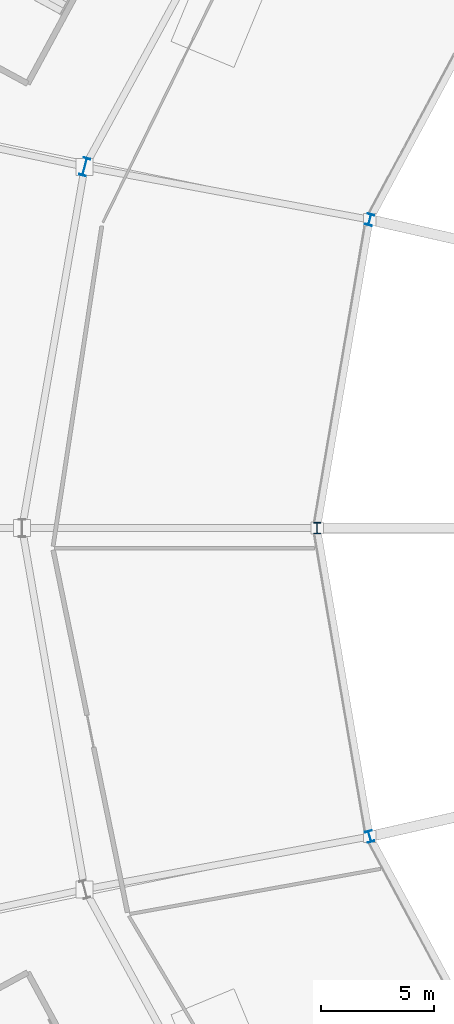
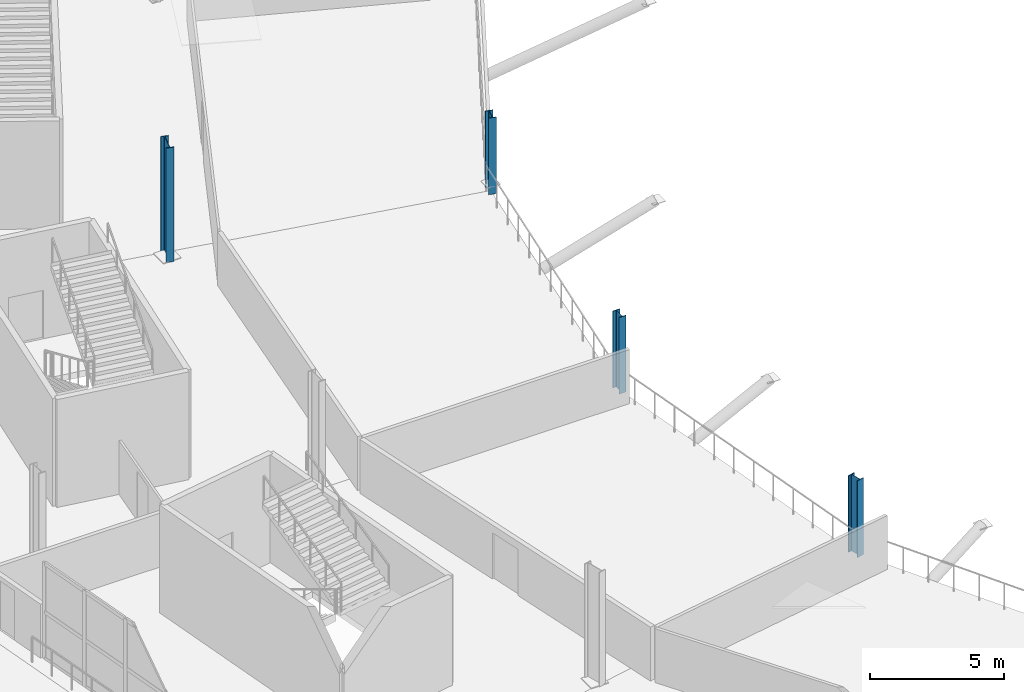
# One storey, part 6 of 168: 4 columns.
"""IFC4 building model written with IfcOpenShell, lengths in metres."""

from ifc_helpers import new_model, si_unit, direction, frame, origin, origin_2d, place, context, subcontext, project, spatial, i_section, extrude, material, material_profile, profile_set, type_object, element, save


model = new_model("IFC4")

# Units and contexts
model_context = context("Model", 3, precision=1e-05, world=origin(), true_north=direction((0.0, 1.0)))
body_context = subcontext(model_context, "Body", "Model", "MODEL_VIEW")
ifc_project = project(units=[si_unit("LENGTHUNIT", "METRE"), si_unit("AREAUNIT", "SQUARE_METRE"), si_unit("VOLUMEUNIT", "CUBIC_METRE"), si_unit("PLANEANGLEUNIT", "RADIAN"), si_unit("MASSUNIT", "GRAM", prefix="KILO")], contexts=[model_context])

# Site, building, storey
site_placement = place(None, origin())
site = spatial("IfcSite", under=ifc_project, at=site_placement, CompositionType="ELEMENT")
building_placement = place(site_placement, origin())
building = spatial("IfcBuilding", under=site, at=building_placement, Name="Zlatoyarsky Gate Stadium", CompositionType="ELEMENT")
storey_placement = place(building_placement, frame((0.0, 0.0, 15.60009765625)))
storey = spatial("IfcBuildingStorey", under=building, at=storey_placement, Name="L03", CompositionType="ELEMENT", Elevation=15.60009765625)

# Columns
ifc_material = material(Name="Steel S355", Category="steel")
ifc_material_profile_1 = material_profile(ifc_material, i_section(OverallWidth=0.300048828125, OverallDepth=0.5, WebThickness=0.014404296875, FlangeThickness=0.028076171875, FilletRadius=0.027099609375, at=origin_2d()), Name="HEB 500")
ifc_profile_set_1 = profile_set([ifc_material_profile_1], Name="Steel S355")
column_type_1 = type_object("IfcColumnType", Name="STEEL COLUMN HEB 500", PredefinedType="COLUMN", material=ifc_profile_set_1)
for number, where, z_axis, x_axis, name in (
    (1, (45.31689453125, 93.587890625, 0.0), (0.0, 0.0, 1.0), (-0.965925826289, 0.258819045103, 0.0), "Column ST-C500 RA-11 on L03"),
    (2, (43.0, 80.0, 0.0), (0.0, 0.0, 1.0), (-1.0, 0.0, 0.0), "Column ST-C500 RA-12 on L03"),
    (3, (45.31689453125, 66.412109375, 0.0), (0.0, 0.0, 1.0), (-0.965925826289, -0.258819045103, 0.0), "Column ST-C500 RA-13 on L03"),
):
    element("IfcColumn", number, at=place(storey_placement, frame(where, z_axis=z_axis, x_axis=x_axis)), inside=storey, type_object=column_type_1, Name=name, PredefinedType="COLUMN", context=body_context, shape_type="SweptSolid", body=[
        extrude(i_section(OverallWidth=0.300048828125, OverallDepth=0.5, WebThickness=0.014404296875, FlangeThickness=0.028076171875, FilletRadius=0.027099609375, at=origin_2d()), origin(), (0.0, 0.0, 1.0), 3.47998046875),
    ])
ifc_material_profile_2 = material_profile(ifc_material, i_section(OverallWidth=0.300048828125, OverallDepth=0.800048828125, WebThickness=0.017578125, FlangeThickness=0.032958984375, FilletRadius=0.030029296875, at=origin_2d()), Name="HEB 800")
ifc_profile_set_2 = profile_set([ifc_material_profile_2], Name="Steel S355")
column_type_2 = type_object("IfcColumnType", Name="STEEL COLUMN HEB 800", PredefinedType="COLUMN", material=ifc_profile_set_2)
column_placement = place(storey_placement, frame((32.760009765625, 95.91748046875, 0.0), z_axis=(0.0, 0.0, 1.0), x_axis=(-0.965925826289, 0.258819045103, 0.0)))
element("IfcColumn", 4, at=column_placement, inside=storey, type_object=column_type_2, Name="Column ST-C800 RB-11 on L03", PredefinedType="COLUMN", context=body_context, shape_type="SweptSolid", body=[
    extrude(i_section(OverallWidth=0.300048828125, OverallDepth=0.800048828125, WebThickness=0.017578125, FlangeThickness=0.032958984375, FilletRadius=0.030029296875, at=origin_2d()), origin(), (0.0, 0.0, 1.0), 5.199951171875),
])

save(model, "model.ifc")
